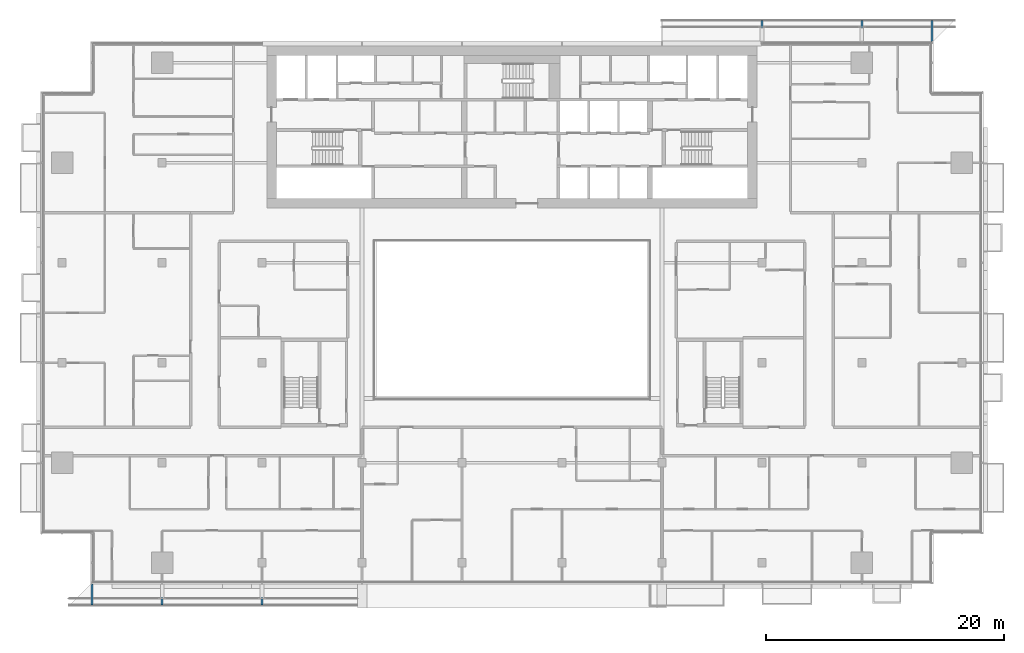
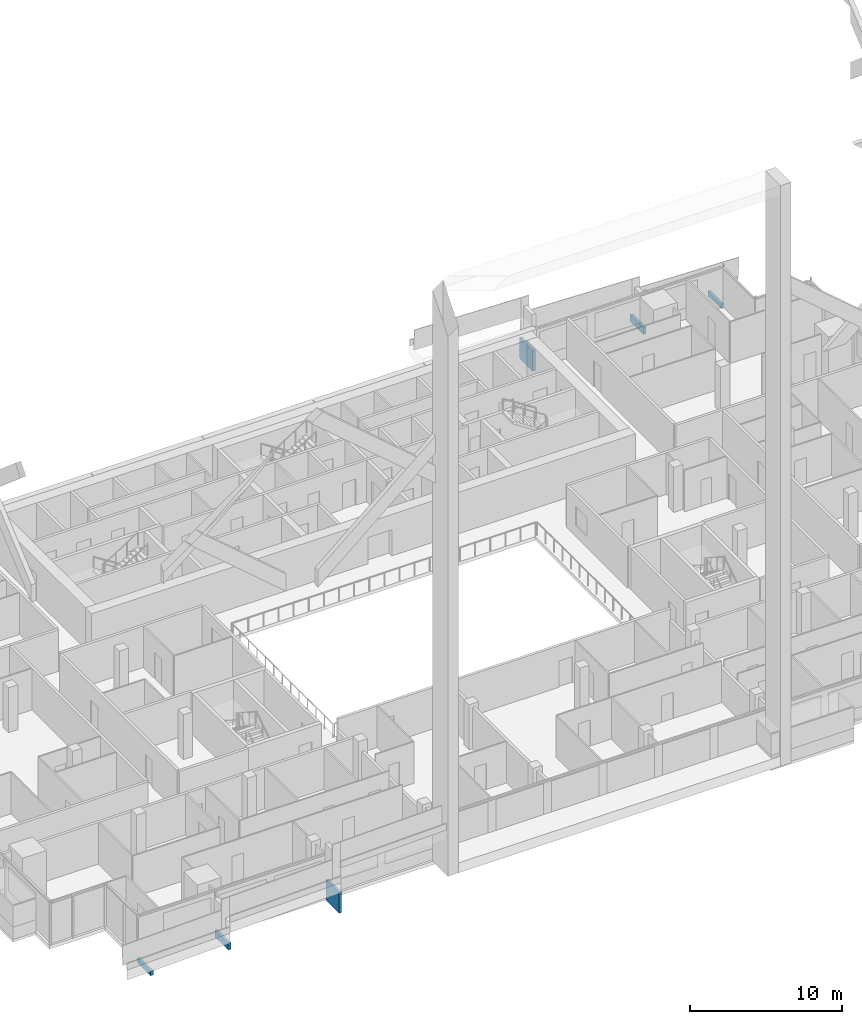
# One storey, part 26 of 31: 6 discrete accessories.
"""IFC4 building model written with IfcOpenShell, lengths in metres."""

from ifc_helpers import new_model, si_unit, direction, frame, origin, origin_2d, place, context, subcontext, project, spatial, rectangle, extrude, element, save


model = new_model("IFC4")

# Units and contexts
model_context = context("Model", 3, precision=1e-05, world=origin(), true_north=direction((0.0, 1.0)))
body_context = subcontext(model_context, "Body", "Model", "MODEL_VIEW")
ifc_project = project(units=[si_unit("LENGTHUNIT", "METRE"), si_unit("AREAUNIT", "SQUARE_METRE"), si_unit("VOLUMEUNIT", "CUBIC_METRE"), si_unit("PLANEANGLEUNIT", "RADIAN"), si_unit("MASSUNIT", "GRAM", prefix="KILO")], contexts=[model_context])

# Site, building, storey
site_placement = place(None, origin())
site = spatial("IfcSite", under=ifc_project, at=site_placement, CompositionType="ELEMENT")
building_placement = place(site_placement, origin())
building = spatial("IfcBuilding", under=site, at=building_placement, Name="Saffron Gate Tower", CompositionType="ELEMENT")
storey_placement = place(building_placement, frame((0.0, 0.0, 147.449951171875)))
storey = spatial("IfcBuildingStorey", under=building, at=storey_placement, Name="L35", CompositionType="ELEMENT", Elevation=147.449951171875)

# Discrete accessories
discrete_accessory_1_placement = place(storey_placement, frame((52.320068359375, 29.125, -0.27978515625), z_axis=(0.0, 0.0, 1.0), x_axis=(1.0, 0.0, 0.0)))
element("IfcDiscreteAccessory", 1, at=discrete_accessory_1_placement, inside=storey, Name="LEDGE rib", PredefinedType="BRACKET", context=body_context, shape_type="SweptSolid", body=[
    extrude(rectangle(XDim=0.199951171875, YDim=1.75, at=origin_2d()), origin(), (0.0, 0.0, 1.0), 0.3798828125),
])
discrete_accessory_2_placement = place(storey_placement, frame((58.199951171875, 29.125, -0.27978515625), z_axis=(0.0, 0.0, 1.0), x_axis=(1.0, 0.0, 0.0)))
element("IfcDiscreteAccessory", 2, at=discrete_accessory_2_placement, inside=storey, Name="LEDGE rib", PredefinedType="BRACKET", context=body_context, shape_type="SweptSolid", body=[
    extrude(rectangle(XDim=0.199951171875, YDim=1.75, at=origin_2d()), origin(), (0.0, 0.0, 1.0), 0.552734375),
])
discrete_accessory_3_placement = place(storey_placement, frame((66.60009765625, 29.125, -0.27978515625), z_axis=(0.0, 0.0, 1.0), x_axis=(1.0, 0.0, 0.0)))
element("IfcDiscreteAccessory", 3, at=discrete_accessory_3_placement, inside=storey, Name="LEDGE rib", PredefinedType="BRACKET", context=body_context, shape_type="SweptSolid", body=[
    extrude(rectangle(XDim=0.199951171875, YDim=1.75, at=origin_2d()), origin(), (0.0, 0.0, 1.0), 1.652099609375),
])
discrete_accessory_4_placement = place(storey_placement, frame((122.8798828125, 76.47509765625, -0.27978515625), z_axis=(0.0, 0.0, 1.0), x_axis=(-1.0, 0.0, 0.0)))
element("IfcDiscreteAccessory", 4, at=discrete_accessory_4_placement, inside=storey, Name="LEDGE rib", PredefinedType="BRACKET", context=body_context, shape_type="SweptSolid", body=[
    extrude(rectangle(XDim=0.199951171875, YDim=1.75, at=origin_2d()), origin(), (0.0, 0.0, 1.0), 0.3798828125),
])
discrete_accessory_5_placement = place(storey_placement, frame((117.0, 76.47509765625, -0.27978515625), z_axis=(0.0, 0.0, 1.0), x_axis=(-1.0, 0.0, 0.0)))
element("IfcDiscreteAccessory", 5, at=discrete_accessory_5_placement, inside=storey, Name="LEDGE rib", PredefinedType="BRACKET", context=body_context, shape_type="SweptSolid", body=[
    extrude(rectangle(XDim=0.199951171875, YDim=1.75, at=origin_2d()), origin(), (0.0, 0.0, 1.0), 0.552734375),
])
discrete_accessory_6_placement = place(storey_placement, frame((108.60009765625, 76.47509765625, -0.27978515625), z_axis=(0.0, 0.0, 1.0), x_axis=(-1.0, 0.0, 0.0)))
element("IfcDiscreteAccessory", 6, at=discrete_accessory_6_placement, inside=storey, Name="LEDGE rib", PredefinedType="BRACKET", context=body_context, shape_type="SweptSolid", body=[
    extrude(rectangle(XDim=0.199951171875, YDim=1.75, at=origin_2d()), origin(), (0.0, 0.0, 1.0), 1.652099609375),
])

save(model, "model.ifc")
